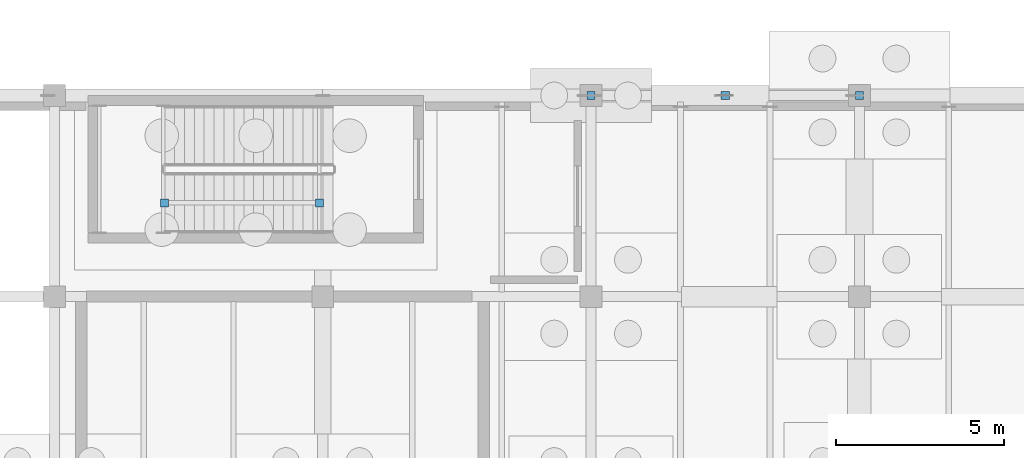
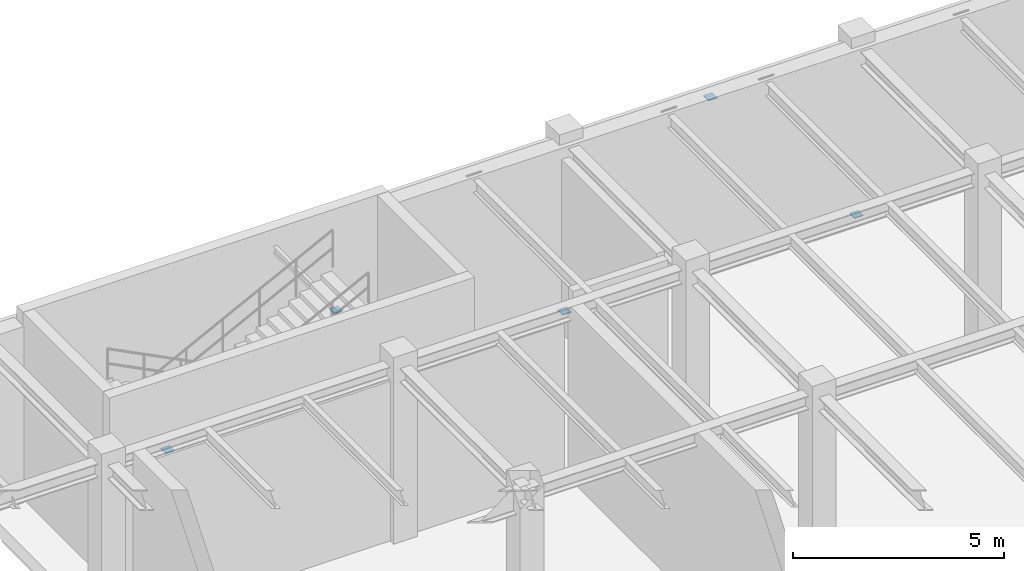
# One storey, part 65 of 71: 5 discrete accessories.
"""IFC4 building model written with IfcOpenShell, lengths in metres."""

from ifc_helpers import new_model, si_unit, direction, frame, origin, origin_2d, place, context, subcontext, project, spatial, rectangle, extrude, material, type_object, element, save


model = new_model("IFC4")

# Units and contexts
model_context = context("Model", 3, precision=1e-05, world=origin(), true_north=direction((0.0, 1.0)))
body_context = subcontext(model_context, "Body", "Model", "MODEL_VIEW")
ifc_project = project(units=[si_unit("LENGTHUNIT", "METRE"), si_unit("AREAUNIT", "SQUARE_METRE"), si_unit("VOLUMEUNIT", "CUBIC_METRE"), si_unit("PLANEANGLEUNIT", "RADIAN"), si_unit("MASSUNIT", "GRAM", prefix="KILO")], contexts=[model_context])

# Site, building, storey
site_placement = place(None, origin())
site = spatial("IfcSite", under=ifc_project, at=site_placement, CompositionType="ELEMENT")
building_placement = place(site_placement, origin())
building = spatial("IfcBuilding", under=site, at=building_placement, Name="Sundkrona Museum", CompositionType="ELEMENT")
storey_placement = place(building_placement, frame((0.0, 0.0, -5.39990234375)))
storey = spatial("IfcBuildingStorey", under=building, at=storey_placement, Name="B1", CompositionType="ELEMENT", Elevation=-5.39990234375)

# Discrete accessories
ifc_material = material(Name="Stainless Steel EN 1.4404 Cleat", Category="steel")
discrete_accessory_type = type_object("IfcDiscreteAccessoryType", Name="BRK-FIN-01", PredefinedType="BRACKET", material=ifc_material)
for number, where, z_axis, x_axis, name in (
    (1, (152.0, 114.0, -0.012451171875), (0.0, 0.0, 1.0), (1.0, 0.0, 0.0), "Brace and Strut End Connection Plate BR-B1-029A-1"),
    (2, (156.0, 114.0, 4.79248046875), (0.0, 0.0, 1.0), (1.0, 0.0, 0.0), "Brace and Strut End Connection Plate BR-B1-029A-2"),
    (3, (160.0, 114.0, -0.012451171875), (0.0, 0.0, 1.0), (1.0, 0.0, 0.0), "Brace and Strut End Connection Plate BR-B1-029B-1"),
    (4, (139.284912109375, 110.800048828125, 2.367431640625), (0.0, 0.0, 1.0), (1.0, 0.0, 0.0), "Brace and Strut End Connection Plate RK-ST-ST-5-B1-2-1"),
    (5, (143.89990234375, 110.800048828125, 4.8017578125), (0.0, 0.0, 1.0), (1.0, 0.0, 0.0), "Brace and Strut End Connection Plate RK-ST-ST-5-B1-2-2"),
):
    element("IfcDiscreteAccessory", number, at=place(storey_placement, frame(where, z_axis=z_axis, x_axis=x_axis)), inside=storey, type_object=discrete_accessory_type, Name=name, PredefinedType="BRACKET", context=body_context, shape_type="SweptSolid", body=[
        extrude(rectangle(XDim=0.239990234375, YDim=0.239990234375, at=origin_2d()), origin(), (0.0, 0.0, 1.0), 0.02490234375),
    ])

save(model, "model.ifc")
